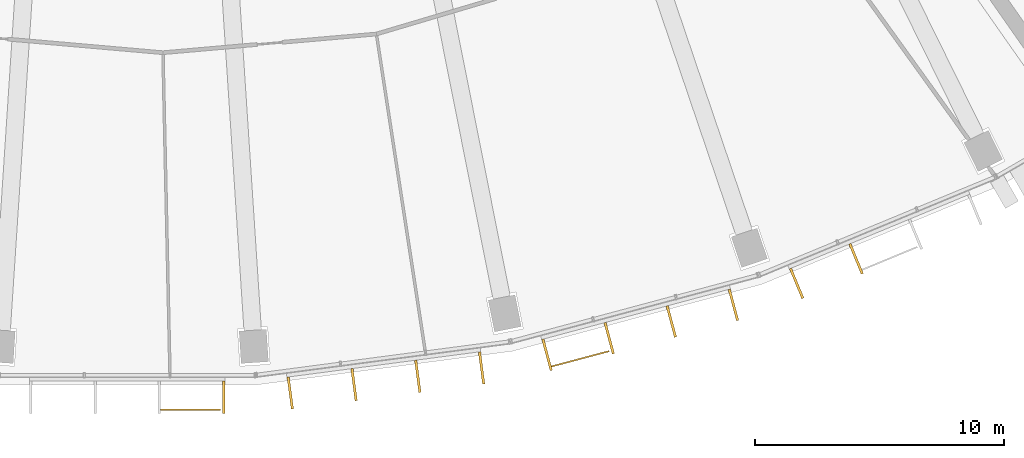
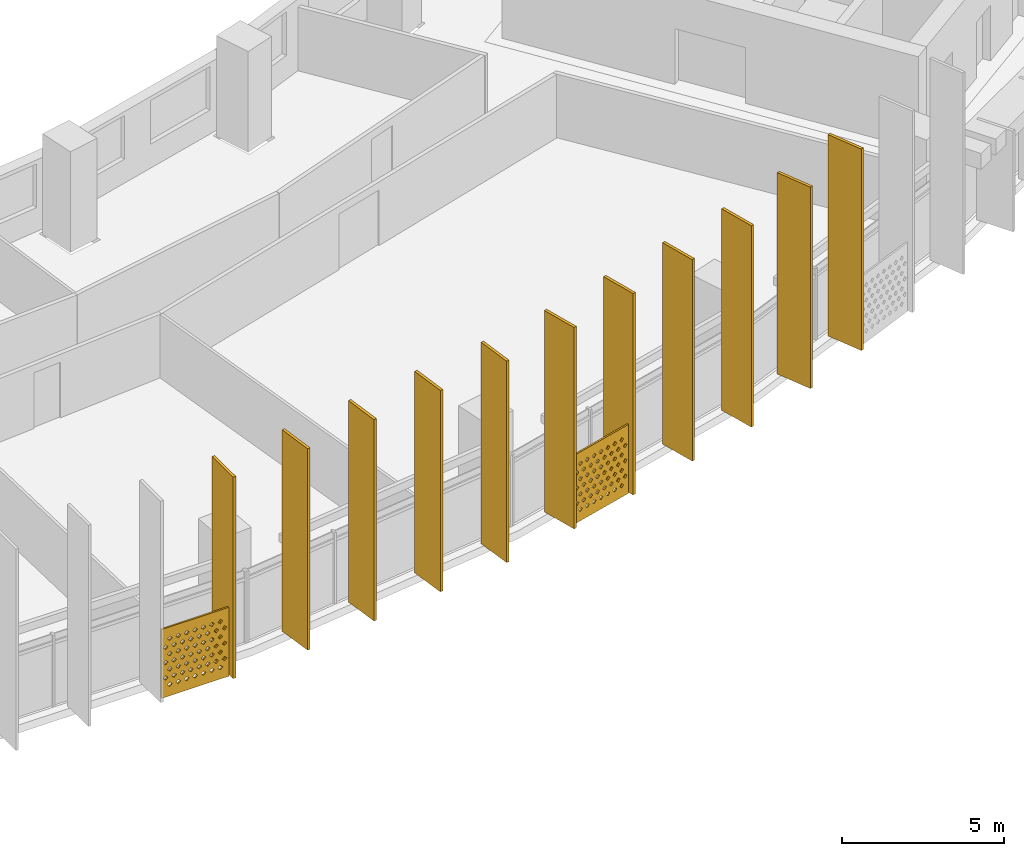
# One storey, part 26 of 31: 13 shading devices.
"""IFC4 building model written with IfcOpenShell, lengths in metres."""

from ifc_helpers import new_model, si_unit, direction, frame, origin, origin_2d, place, context, subcontext, project, spatial, polyline, rectangle, outline, extrude, material, material_profile, profile_set, type_object, element, save


model = new_model("IFC4")

# Units and contexts
model_context = context("Model", 3, precision=1e-05, world=origin(), true_north=direction((0.0, 1.0)))
body_context = subcontext(model_context, "Body", "Model", "MODEL_VIEW")
ifc_project = project(units=[si_unit("LENGTHUNIT", "METRE"), si_unit("AREAUNIT", "SQUARE_METRE"), si_unit("VOLUMEUNIT", "CUBIC_METRE"), si_unit("PLANEANGLEUNIT", "RADIAN"), si_unit("MASSUNIT", "GRAM", prefix="KILO")], contexts=[model_context])

# Site, building, storey
site_placement = place(None, origin())
site = spatial("IfcSite", under=ifc_project, at=site_placement, CompositionType="ELEMENT")
building_placement = place(site_placement, origin())
building = spatial("IfcBuilding", under=site, at=building_placement, Name="Qamariyya Broadcast Tower", CompositionType="ELEMENT")
storey_placement = place(building_placement, frame((0.0, 0.0, 149.300048828125)))
storey = spatial("IfcBuildingStorey", under=building, at=storey_placement, Name="L34", CompositionType="ELEMENT", Elevation=149.300048828125)

# Shading devices
ifc_material_1 = material(Name="Perforated glazed terracotta", Category="masonry")
ifc_material_profile_1 = material_profile(ifc_material_1, outline(polyline([(-1.199951171875, -1.300048828125), (1.199951171875, -1.300048828125), (1.199951171875, 1.300048828125), (-1.199951171875, 1.300048828125), (-1.199951171875, -1.300048828125)]), holes=[polyline([(-0.81494140625, -0.86669921875), (-0.89990234375, -0.78173828125), (-0.985107421875, -0.86669921875), (-0.89990234375, -0.95166015625), (-0.81494140625, -0.86669921875)]), polyline([(-0.514892578125, -0.86669921875), (-0.60009765625, -0.78173828125), (-0.68505859375, -0.86669921875), (-0.60009765625, -0.95166015625), (-0.514892578125, -0.86669921875)]), polyline([(-0.215087890625, -0.86669921875), (-0.300048828125, -0.78173828125), (-0.385009765625, -0.86669921875), (-0.300048828125, -0.95166015625), (-0.215087890625, -0.86669921875)]), polyline([(0.0849609375, -0.86669921875), (0.0, -0.78173828125), (-0.0849609375, -0.86669921875), (0.0, -0.95166015625), (0.0849609375, -0.86669921875)]), polyline([(0.385009765625, -0.86669921875), (0.300048828125, -0.78173828125), (0.215087890625, -0.86669921875), (0.300048828125, -0.95166015625), (0.385009765625, -0.86669921875)]), polyline([(0.68505859375, -0.86669921875), (0.60009765625, -0.78173828125), (0.514892578125, -0.86669921875), (0.60009765625, -0.95166015625), (0.68505859375, -0.86669921875)]), polyline([(0.985107421875, -0.86669921875), (0.89990234375, -0.78173828125), (0.81494140625, -0.86669921875), (0.89990234375, -0.95166015625), (0.985107421875, -0.86669921875)]), polyline([(-0.965087890625, -0.577880859375), (-1.050048828125, -0.49267578125), (-1.135009765625, -0.577880859375), (-1.050048828125, -0.662841796875), (-0.965087890625, -0.577880859375)]), polyline([(-0.6650390625, -0.577880859375), (-0.75, -0.49267578125), (-0.8349609375, -0.577880859375), (-0.75, -0.662841796875), (-0.6650390625, -0.577880859375)]), polyline([(-0.364990234375, -0.577880859375), (-0.449951171875, -0.49267578125), (-0.534912109375, -0.577880859375), (-0.449951171875, -0.662841796875), (-0.364990234375, -0.577880859375)]), polyline([(-0.06494140625, -0.577880859375), (-0.14990234375, -0.49267578125), (-0.235107421875, -0.577880859375), (-0.14990234375, -0.662841796875), (-0.06494140625, -0.577880859375)]), polyline([(0.235107421875, -0.577880859375), (0.14990234375, -0.49267578125), (0.06494140625, -0.577880859375), (0.14990234375, -0.662841796875), (0.235107421875, -0.577880859375)]), polyline([(0.534912109375, -0.577880859375), (0.449951171875, -0.49267578125), (0.364990234375, -0.577880859375), (0.449951171875, -0.662841796875), (0.534912109375, -0.577880859375)]), polyline([(0.8349609375, -0.577880859375), (0.75, -0.49267578125), (0.6650390625, -0.577880859375), (0.75, -0.662841796875), (0.8349609375, -0.577880859375)]), polyline([(1.135009765625, -0.577880859375), (1.050048828125, -0.49267578125), (0.965087890625, -0.577880859375), (1.050048828125, -0.662841796875), (1.135009765625, -0.577880859375)]), polyline([(-0.81494140625, -0.288818359375), (-0.89990234375, -0.203857421875), (-0.985107421875, -0.288818359375), (-0.89990234375, -0.373779296875), (-0.81494140625, -0.288818359375)]), polyline([(-0.514892578125, -0.288818359375), (-0.60009765625, -0.203857421875), (-0.68505859375, -0.288818359375), (-0.60009765625, -0.373779296875), (-0.514892578125, -0.288818359375)]), polyline([(-0.215087890625, -0.288818359375), (-0.300048828125, -0.203857421875), (-0.385009765625, -0.288818359375), (-0.300048828125, -0.373779296875), (-0.215087890625, -0.288818359375)]), polyline([(0.0849609375, -0.288818359375), (0.0, -0.203857421875), (-0.0849609375, -0.288818359375), (0.0, -0.373779296875), (0.0849609375, -0.288818359375)]), polyline([(0.385009765625, -0.288818359375), (0.300048828125, -0.203857421875), (0.215087890625, -0.288818359375), (0.300048828125, -0.373779296875), (0.385009765625, -0.288818359375)]), polyline([(0.68505859375, -0.288818359375), (0.60009765625, -0.203857421875), (0.514892578125, -0.288818359375), (0.60009765625, -0.373779296875), (0.68505859375, -0.288818359375)]), polyline([(0.985107421875, -0.288818359375), (0.89990234375, -0.203857421875), (0.81494140625, -0.288818359375), (0.89990234375, -0.373779296875), (0.985107421875, -0.288818359375)]), polyline([(-0.965087890625, 0.0), (-1.050048828125, 0.0849609375), (-1.135009765625, 0.0), (-1.050048828125, -0.0849609375), (-0.965087890625, 0.0)]), polyline([(-0.6650390625, 0.0), (-0.75, 0.0849609375), (-0.8349609375, 0.0), (-0.75, -0.0849609375), (-0.6650390625, 0.0)]), polyline([(-0.364990234375, 0.0), (-0.449951171875, 0.0849609375), (-0.534912109375, 0.0), (-0.449951171875, -0.0849609375), (-0.364990234375, 0.0)]), polyline([(-0.06494140625, 0.0), (-0.14990234375, 0.0849609375), (-0.235107421875, 0.0), (-0.14990234375, -0.0849609375), (-0.06494140625, 0.0)]), polyline([(0.235107421875, 0.0), (0.14990234375, 0.0849609375), (0.06494140625, 0.0), (0.14990234375, -0.0849609375), (0.235107421875, 0.0)]), polyline([(0.534912109375, 0.0), (0.449951171875, 0.0849609375), (0.364990234375, 0.0), (0.449951171875, -0.0849609375), (0.534912109375, 0.0)]), polyline([(0.8349609375, 0.0), (0.75, 0.0849609375), (0.6650390625, 0.0), (0.75, -0.0849609375), (0.8349609375, 0.0)]), polyline([(1.135009765625, 0.0), (1.050048828125, 0.0849609375), (0.965087890625, 0.0), (1.050048828125, -0.0849609375), (1.135009765625, 0.0)]), polyline([(-0.81494140625, 0.288818359375), (-0.89990234375, 0.373779296875), (-0.985107421875, 0.288818359375), (-0.89990234375, 0.203857421875), (-0.81494140625, 0.288818359375)]), polyline([(-0.514892578125, 0.288818359375), (-0.60009765625, 0.373779296875), (-0.68505859375, 0.288818359375), (-0.60009765625, 0.203857421875), (-0.514892578125, 0.288818359375)]), polyline([(-0.215087890625, 0.288818359375), (-0.300048828125, 0.373779296875), (-0.385009765625, 0.288818359375), (-0.300048828125, 0.203857421875), (-0.215087890625, 0.288818359375)]), polyline([(0.0849609375, 0.288818359375), (0.0, 0.373779296875), (-0.0849609375, 0.288818359375), (0.0, 0.203857421875), (0.0849609375, 0.288818359375)]), polyline([(0.385009765625, 0.288818359375), (0.300048828125, 0.373779296875), (0.215087890625, 0.288818359375), (0.300048828125, 0.203857421875), (0.385009765625, 0.288818359375)]), polyline([(0.68505859375, 0.288818359375), (0.60009765625, 0.373779296875), (0.514892578125, 0.288818359375), (0.60009765625, 0.203857421875), (0.68505859375, 0.288818359375)]), polyline([(0.985107421875, 0.288818359375), (0.89990234375, 0.373779296875), (0.81494140625, 0.288818359375), (0.89990234375, 0.203857421875), (0.985107421875, 0.288818359375)]), polyline([(-0.965087890625, 0.577880859375), (-1.050048828125, 0.662841796875), (-1.135009765625, 0.577880859375), (-1.050048828125, 0.49267578125), (-0.965087890625, 0.577880859375)]), polyline([(-0.6650390625, 0.577880859375), (-0.75, 0.662841796875), (-0.8349609375, 0.577880859375), (-0.75, 0.49267578125), (-0.6650390625, 0.577880859375)]), polyline([(-0.364990234375, 0.577880859375), (-0.449951171875, 0.662841796875), (-0.534912109375, 0.577880859375), (-0.449951171875, 0.49267578125), (-0.364990234375, 0.577880859375)]), polyline([(-0.06494140625, 0.577880859375), (-0.14990234375, 0.662841796875), (-0.235107421875, 0.577880859375), (-0.14990234375, 0.49267578125), (-0.06494140625, 0.577880859375)]), polyline([(0.235107421875, 0.577880859375), (0.14990234375, 0.662841796875), (0.06494140625, 0.577880859375), (0.14990234375, 0.49267578125), (0.235107421875, 0.577880859375)]), polyline([(0.534912109375, 0.577880859375), (0.449951171875, 0.662841796875), (0.364990234375, 0.577880859375), (0.449951171875, 0.49267578125), (0.534912109375, 0.577880859375)]), polyline([(0.8349609375, 0.577880859375), (0.75, 0.662841796875), (0.6650390625, 0.577880859375), (0.75, 0.49267578125), (0.8349609375, 0.577880859375)]), polyline([(1.135009765625, 0.577880859375), (1.050048828125, 0.662841796875), (0.965087890625, 0.577880859375), (1.050048828125, 0.49267578125), (1.135009765625, 0.577880859375)]), polyline([(-0.81494140625, 0.86669921875), (-0.89990234375, 0.95166015625), (-0.985107421875, 0.86669921875), (-0.89990234375, 0.78173828125), (-0.81494140625, 0.86669921875)]), polyline([(-0.514892578125, 0.86669921875), (-0.60009765625, 0.95166015625), (-0.68505859375, 0.86669921875), (-0.60009765625, 0.78173828125), (-0.514892578125, 0.86669921875)]), polyline([(-0.215087890625, 0.86669921875), (-0.300048828125, 0.95166015625), (-0.385009765625, 0.86669921875), (-0.300048828125, 0.78173828125), (-0.215087890625, 0.86669921875)]), polyline([(0.0849609375, 0.86669921875), (0.0, 0.95166015625), (-0.0849609375, 0.86669921875), (0.0, 0.78173828125), (0.0849609375, 0.86669921875)]), polyline([(0.385009765625, 0.86669921875), (0.300048828125, 0.95166015625), (0.215087890625, 0.86669921875), (0.300048828125, 0.78173828125), (0.385009765625, 0.86669921875)]), polyline([(0.68505859375, 0.86669921875), (0.60009765625, 0.95166015625), (0.514892578125, 0.86669921875), (0.60009765625, 0.78173828125), (0.68505859375, 0.86669921875)]), polyline([(0.985107421875, 0.86669921875), (0.89990234375, 0.95166015625), (0.81494140625, 0.86669921875), (0.89990234375, 0.78173828125), (0.985107421875, 0.86669921875)])]))
ifc_profile_set_1 = profile_set([ifc_material_profile_1], Name="Perforated glazed terracotta")
shading_device_type_1 = type_object("IfcShadingDeviceType", Name="Perforated terracotta screen 2400 x 2600", PredefinedType="USERDEFINED", material=ifc_profile_set_1)
shading_device_1_placement = place(storey_placement, frame((2.541748046875, -80.100830078125, 1.349853515625), z_axis=(0.0, -1.0, 0.0), x_axis=(1.0, 0.0, 0.0)))
element("IfcShadingDevice", 1, at=shading_device_1_placement, inside=storey, type_object=shading_device_type_1, Name="e-scr-L34-07-2", ObjectType="SCREEN", PredefinedType="USERDEFINED", context=body_context, shape_type="SweptSolid", body=[
    extrude(outline(polyline([(-1.199951171875, -1.300048828125), (1.199951171875, -1.300048828125), (1.199951171875, 1.300048828125), (-1.199951171875, 1.300048828125), (-1.199951171875, -1.300048828125)]), holes=[polyline([(-0.81494140625, -0.86669921875), (-0.89990234375, -0.78173828125), (-0.985107421875, -0.86669921875), (-0.89990234375, -0.95166015625), (-0.81494140625, -0.86669921875)]), polyline([(-0.514892578125, -0.86669921875), (-0.60009765625, -0.78173828125), (-0.68505859375, -0.86669921875), (-0.60009765625, -0.95166015625), (-0.514892578125, -0.86669921875)]), polyline([(-0.215087890625, -0.86669921875), (-0.300048828125, -0.78173828125), (-0.385009765625, -0.86669921875), (-0.300048828125, -0.95166015625), (-0.215087890625, -0.86669921875)]), polyline([(0.0849609375, -0.86669921875), (0.0, -0.78173828125), (-0.0849609375, -0.86669921875), (0.0, -0.95166015625), (0.0849609375, -0.86669921875)]), polyline([(0.385009765625, -0.86669921875), (0.300048828125, -0.78173828125), (0.215087890625, -0.86669921875), (0.300048828125, -0.95166015625), (0.385009765625, -0.86669921875)]), polyline([(0.68505859375, -0.86669921875), (0.60009765625, -0.78173828125), (0.514892578125, -0.86669921875), (0.60009765625, -0.95166015625), (0.68505859375, -0.86669921875)]), polyline([(0.985107421875, -0.86669921875), (0.89990234375, -0.78173828125), (0.81494140625, -0.86669921875), (0.89990234375, -0.95166015625), (0.985107421875, -0.86669921875)]), polyline([(-0.965087890625, -0.577880859375), (-1.050048828125, -0.49267578125), (-1.135009765625, -0.577880859375), (-1.050048828125, -0.662841796875), (-0.965087890625, -0.577880859375)]), polyline([(-0.6650390625, -0.577880859375), (-0.75, -0.49267578125), (-0.8349609375, -0.577880859375), (-0.75, -0.662841796875), (-0.6650390625, -0.577880859375)]), polyline([(-0.364990234375, -0.577880859375), (-0.449951171875, -0.49267578125), (-0.534912109375, -0.577880859375), (-0.449951171875, -0.662841796875), (-0.364990234375, -0.577880859375)]), polyline([(-0.06494140625, -0.577880859375), (-0.14990234375, -0.49267578125), (-0.235107421875, -0.577880859375), (-0.14990234375, -0.662841796875), (-0.06494140625, -0.577880859375)]), polyline([(0.235107421875, -0.577880859375), (0.14990234375, -0.49267578125), (0.06494140625, -0.577880859375), (0.14990234375, -0.662841796875), (0.235107421875, -0.577880859375)]), polyline([(0.534912109375, -0.577880859375), (0.449951171875, -0.49267578125), (0.364990234375, -0.577880859375), (0.449951171875, -0.662841796875), (0.534912109375, -0.577880859375)]), polyline([(0.8349609375, -0.577880859375), (0.75, -0.49267578125), (0.6650390625, -0.577880859375), (0.75, -0.662841796875), (0.8349609375, -0.577880859375)]), polyline([(1.135009765625, -0.577880859375), (1.050048828125, -0.49267578125), (0.965087890625, -0.577880859375), (1.050048828125, -0.662841796875), (1.135009765625, -0.577880859375)]), polyline([(-0.81494140625, -0.288818359375), (-0.89990234375, -0.203857421875), (-0.985107421875, -0.288818359375), (-0.89990234375, -0.373779296875), (-0.81494140625, -0.288818359375)]), polyline([(-0.514892578125, -0.288818359375), (-0.60009765625, -0.203857421875), (-0.68505859375, -0.288818359375), (-0.60009765625, -0.373779296875), (-0.514892578125, -0.288818359375)]), polyline([(-0.215087890625, -0.288818359375), (-0.300048828125, -0.203857421875), (-0.385009765625, -0.288818359375), (-0.300048828125, -0.373779296875), (-0.215087890625, -0.288818359375)]), polyline([(0.0849609375, -0.288818359375), (0.0, -0.203857421875), (-0.0849609375, -0.288818359375), (0.0, -0.373779296875), (0.0849609375, -0.288818359375)]), polyline([(0.385009765625, -0.288818359375), (0.300048828125, -0.203857421875), (0.215087890625, -0.288818359375), (0.300048828125, -0.373779296875), (0.385009765625, -0.288818359375)]), polyline([(0.68505859375, -0.288818359375), (0.60009765625, -0.203857421875), (0.514892578125, -0.288818359375), (0.60009765625, -0.373779296875), (0.68505859375, -0.288818359375)]), polyline([(0.985107421875, -0.288818359375), (0.89990234375, -0.203857421875), (0.81494140625, -0.288818359375), (0.89990234375, -0.373779296875), (0.985107421875, -0.288818359375)]), polyline([(-0.965087890625, 0.0), (-1.050048828125, 0.0849609375), (-1.135009765625, 0.0), (-1.050048828125, -0.0849609375), (-0.965087890625, 0.0)]), polyline([(-0.6650390625, 0.0), (-0.75, 0.0849609375), (-0.8349609375, 0.0), (-0.75, -0.0849609375), (-0.6650390625, 0.0)]), polyline([(-0.364990234375, 0.0), (-0.449951171875, 0.0849609375), (-0.534912109375, 0.0), (-0.449951171875, -0.0849609375), (-0.364990234375, 0.0)]), polyline([(-0.06494140625, 0.0), (-0.14990234375, 0.0849609375), (-0.235107421875, 0.0), (-0.14990234375, -0.0849609375), (-0.06494140625, 0.0)]), polyline([(0.235107421875, 0.0), (0.14990234375, 0.0849609375), (0.06494140625, 0.0), (0.14990234375, -0.0849609375), (0.235107421875, 0.0)]), polyline([(0.534912109375, 0.0), (0.449951171875, 0.0849609375), (0.364990234375, 0.0), (0.449951171875, -0.0849609375), (0.534912109375, 0.0)]), polyline([(0.8349609375, 0.0), (0.75, 0.0849609375), (0.6650390625, 0.0), (0.75, -0.0849609375), (0.8349609375, 0.0)]), polyline([(1.135009765625, 0.0), (1.050048828125, 0.0849609375), (0.965087890625, 0.0), (1.050048828125, -0.0849609375), (1.135009765625, 0.0)]), polyline([(-0.81494140625, 0.288818359375), (-0.89990234375, 0.373779296875), (-0.985107421875, 0.288818359375), (-0.89990234375, 0.203857421875), (-0.81494140625, 0.288818359375)]), polyline([(-0.514892578125, 0.288818359375), (-0.60009765625, 0.373779296875), (-0.68505859375, 0.288818359375), (-0.60009765625, 0.203857421875), (-0.514892578125, 0.288818359375)]), polyline([(-0.215087890625, 0.288818359375), (-0.300048828125, 0.373779296875), (-0.385009765625, 0.288818359375), (-0.300048828125, 0.203857421875), (-0.215087890625, 0.288818359375)]), polyline([(0.0849609375, 0.288818359375), (0.0, 0.373779296875), (-0.0849609375, 0.288818359375), (0.0, 0.203857421875), (0.0849609375, 0.288818359375)]), polyline([(0.385009765625, 0.288818359375), (0.300048828125, 0.373779296875), (0.215087890625, 0.288818359375), (0.300048828125, 0.203857421875), (0.385009765625, 0.288818359375)]), polyline([(0.68505859375, 0.288818359375), (0.60009765625, 0.373779296875), (0.514892578125, 0.288818359375), (0.60009765625, 0.203857421875), (0.68505859375, 0.288818359375)]), polyline([(0.985107421875, 0.288818359375), (0.89990234375, 0.373779296875), (0.81494140625, 0.288818359375), (0.89990234375, 0.203857421875), (0.985107421875, 0.288818359375)]), polyline([(-0.965087890625, 0.577880859375), (-1.050048828125, 0.662841796875), (-1.135009765625, 0.577880859375), (-1.050048828125, 0.49267578125), (-0.965087890625, 0.577880859375)]), polyline([(-0.6650390625, 0.577880859375), (-0.75, 0.662841796875), (-0.8349609375, 0.577880859375), (-0.75, 0.49267578125), (-0.6650390625, 0.577880859375)]), polyline([(-0.364990234375, 0.577880859375), (-0.449951171875, 0.662841796875), (-0.534912109375, 0.577880859375), (-0.449951171875, 0.49267578125), (-0.364990234375, 0.577880859375)]), polyline([(-0.06494140625, 0.577880859375), (-0.14990234375, 0.662841796875), (-0.235107421875, 0.577880859375), (-0.14990234375, 0.49267578125), (-0.06494140625, 0.577880859375)]), polyline([(0.235107421875, 0.577880859375), (0.14990234375, 0.662841796875), (0.06494140625, 0.577880859375), (0.14990234375, 0.49267578125), (0.235107421875, 0.577880859375)]), polyline([(0.534912109375, 0.577880859375), (0.449951171875, 0.662841796875), (0.364990234375, 0.577880859375), (0.449951171875, 0.49267578125), (0.534912109375, 0.577880859375)]), polyline([(0.8349609375, 0.577880859375), (0.75, 0.662841796875), (0.6650390625, 0.577880859375), (0.75, 0.49267578125), (0.8349609375, 0.577880859375)]), polyline([(1.135009765625, 0.577880859375), (1.050048828125, 0.662841796875), (0.965087890625, 0.577880859375), (1.050048828125, 0.49267578125), (1.135009765625, 0.577880859375)]), polyline([(-0.81494140625, 0.86669921875), (-0.89990234375, 0.95166015625), (-0.985107421875, 0.86669921875), (-0.89990234375, 0.78173828125), (-0.81494140625, 0.86669921875)]), polyline([(-0.514892578125, 0.86669921875), (-0.60009765625, 0.95166015625), (-0.68505859375, 0.86669921875), (-0.60009765625, 0.78173828125), (-0.514892578125, 0.86669921875)]), polyline([(-0.215087890625, 0.86669921875), (-0.300048828125, 0.95166015625), (-0.385009765625, 0.86669921875), (-0.300048828125, 0.78173828125), (-0.215087890625, 0.86669921875)]), polyline([(0.0849609375, 0.86669921875), (0.0, 0.95166015625), (-0.0849609375, 0.86669921875), (0.0, 0.78173828125), (0.0849609375, 0.86669921875)]), polyline([(0.385009765625, 0.86669921875), (0.300048828125, 0.95166015625), (0.215087890625, 0.86669921875), (0.300048828125, 0.78173828125), (0.385009765625, 0.86669921875)]), polyline([(0.68505859375, 0.86669921875), (0.60009765625, 0.95166015625), (0.514892578125, 0.86669921875), (0.60009765625, 0.78173828125), (0.68505859375, 0.86669921875)]), polyline([(0.985107421875, 0.86669921875), (0.89990234375, 0.95166015625), (0.81494140625, 0.86669921875), (0.89990234375, 0.78173828125), (0.985107421875, 0.86669921875)])]), origin(), (0.0, 0.0, 1.0), 0.06005859375),
])
shading_device_2_placement = place(storey_placement, frame((18.196044921875, -78.051025390625, 1.349853515625), z_axis=(0.256901156343, -0.966437683387, 0.0), x_axis=(0.966437683387, 0.256901156343, 0.0)))
element("IfcShadingDevice", 2, at=shading_device_2_placement, inside=storey, type_object=shading_device_type_1, Name="e-scr-L34-09-0", ObjectType="SCREEN", PredefinedType="USERDEFINED", context=body_context, shape_type="SweptSolid", body=[
    extrude(outline(polyline([(-1.199951171875, -1.300048828125), (1.199951171875, -1.300048828125), (1.199951171875, 1.300048828125), (-1.199951171875, 1.300048828125), (-1.199951171875, -1.300048828125)]), holes=[polyline([(-0.81494140625, -0.86669921875), (-0.89990234375, -0.78173828125), (-0.985107421875, -0.86669921875), (-0.89990234375, -0.95166015625), (-0.81494140625, -0.86669921875)]), polyline([(-0.514892578125, -0.86669921875), (-0.60009765625, -0.78173828125), (-0.68505859375, -0.86669921875), (-0.60009765625, -0.95166015625), (-0.514892578125, -0.86669921875)]), polyline([(-0.215087890625, -0.86669921875), (-0.300048828125, -0.78173828125), (-0.385009765625, -0.86669921875), (-0.300048828125, -0.95166015625), (-0.215087890625, -0.86669921875)]), polyline([(0.0849609375, -0.86669921875), (0.0, -0.78173828125), (-0.0849609375, -0.86669921875), (0.0, -0.95166015625), (0.0849609375, -0.86669921875)]), polyline([(0.385009765625, -0.86669921875), (0.300048828125, -0.78173828125), (0.215087890625, -0.86669921875), (0.300048828125, -0.95166015625), (0.385009765625, -0.86669921875)]), polyline([(0.68505859375, -0.86669921875), (0.60009765625, -0.78173828125), (0.514892578125, -0.86669921875), (0.60009765625, -0.95166015625), (0.68505859375, -0.86669921875)]), polyline([(0.985107421875, -0.86669921875), (0.89990234375, -0.78173828125), (0.81494140625, -0.86669921875), (0.89990234375, -0.95166015625), (0.985107421875, -0.86669921875)]), polyline([(-0.965087890625, -0.577880859375), (-1.050048828125, -0.49267578125), (-1.135009765625, -0.577880859375), (-1.050048828125, -0.662841796875), (-0.965087890625, -0.577880859375)]), polyline([(-0.6650390625, -0.577880859375), (-0.75, -0.49267578125), (-0.8349609375, -0.577880859375), (-0.75, -0.662841796875), (-0.6650390625, -0.577880859375)]), polyline([(-0.364990234375, -0.577880859375), (-0.449951171875, -0.49267578125), (-0.534912109375, -0.577880859375), (-0.449951171875, -0.662841796875), (-0.364990234375, -0.577880859375)]), polyline([(-0.06494140625, -0.577880859375), (-0.14990234375, -0.49267578125), (-0.235107421875, -0.577880859375), (-0.14990234375, -0.662841796875), (-0.06494140625, -0.577880859375)]), polyline([(0.235107421875, -0.577880859375), (0.14990234375, -0.49267578125), (0.06494140625, -0.577880859375), (0.14990234375, -0.662841796875), (0.235107421875, -0.577880859375)]), polyline([(0.534912109375, -0.577880859375), (0.449951171875, -0.49267578125), (0.364990234375, -0.577880859375), (0.449951171875, -0.662841796875), (0.534912109375, -0.577880859375)]), polyline([(0.8349609375, -0.577880859375), (0.75, -0.49267578125), (0.6650390625, -0.577880859375), (0.75, -0.662841796875), (0.8349609375, -0.577880859375)]), polyline([(1.135009765625, -0.577880859375), (1.050048828125, -0.49267578125), (0.965087890625, -0.577880859375), (1.050048828125, -0.662841796875), (1.135009765625, -0.577880859375)]), polyline([(-0.81494140625, -0.288818359375), (-0.89990234375, -0.203857421875), (-0.985107421875, -0.288818359375), (-0.89990234375, -0.373779296875), (-0.81494140625, -0.288818359375)]), polyline([(-0.514892578125, -0.288818359375), (-0.60009765625, -0.203857421875), (-0.68505859375, -0.288818359375), (-0.60009765625, -0.373779296875), (-0.514892578125, -0.288818359375)]), polyline([(-0.215087890625, -0.288818359375), (-0.300048828125, -0.203857421875), (-0.385009765625, -0.288818359375), (-0.300048828125, -0.373779296875), (-0.215087890625, -0.288818359375)]), polyline([(0.0849609375, -0.288818359375), (0.0, -0.203857421875), (-0.0849609375, -0.288818359375), (0.0, -0.373779296875), (0.0849609375, -0.288818359375)]), polyline([(0.385009765625, -0.288818359375), (0.300048828125, -0.203857421875), (0.215087890625, -0.288818359375), (0.300048828125, -0.373779296875), (0.385009765625, -0.288818359375)]), polyline([(0.68505859375, -0.288818359375), (0.60009765625, -0.203857421875), (0.514892578125, -0.288818359375), (0.60009765625, -0.373779296875), (0.68505859375, -0.288818359375)]), polyline([(0.985107421875, -0.288818359375), (0.89990234375, -0.203857421875), (0.81494140625, -0.288818359375), (0.89990234375, -0.373779296875), (0.985107421875, -0.288818359375)]), polyline([(-0.965087890625, 0.0), (-1.050048828125, 0.0849609375), (-1.135009765625, 0.0), (-1.050048828125, -0.0849609375), (-0.965087890625, 0.0)]), polyline([(-0.6650390625, 0.0), (-0.75, 0.0849609375), (-0.8349609375, 0.0), (-0.75, -0.0849609375), (-0.6650390625, 0.0)]), polyline([(-0.364990234375, 0.0), (-0.449951171875, 0.0849609375), (-0.534912109375, 0.0), (-0.449951171875, -0.0849609375), (-0.364990234375, 0.0)]), polyline([(-0.06494140625, 0.0), (-0.14990234375, 0.0849609375), (-0.235107421875, 0.0), (-0.14990234375, -0.0849609375), (-0.06494140625, 0.0)]), polyline([(0.235107421875, 0.0), (0.14990234375, 0.0849609375), (0.06494140625, 0.0), (0.14990234375, -0.0849609375), (0.235107421875, 0.0)]), polyline([(0.534912109375, 0.0), (0.449951171875, 0.0849609375), (0.364990234375, 0.0), (0.449951171875, -0.0849609375), (0.534912109375, 0.0)]), polyline([(0.8349609375, 0.0), (0.75, 0.0849609375), (0.6650390625, 0.0), (0.75, -0.0849609375), (0.8349609375, 0.0)]), polyline([(1.135009765625, 0.0), (1.050048828125, 0.0849609375), (0.965087890625, 0.0), (1.050048828125, -0.0849609375), (1.135009765625, 0.0)]), polyline([(-0.81494140625, 0.288818359375), (-0.89990234375, 0.373779296875), (-0.985107421875, 0.288818359375), (-0.89990234375, 0.203857421875), (-0.81494140625, 0.288818359375)]), polyline([(-0.514892578125, 0.288818359375), (-0.60009765625, 0.373779296875), (-0.68505859375, 0.288818359375), (-0.60009765625, 0.203857421875), (-0.514892578125, 0.288818359375)]), polyline([(-0.215087890625, 0.288818359375), (-0.300048828125, 0.373779296875), (-0.385009765625, 0.288818359375), (-0.300048828125, 0.203857421875), (-0.215087890625, 0.288818359375)]), polyline([(0.0849609375, 0.288818359375), (0.0, 0.373779296875), (-0.0849609375, 0.288818359375), (0.0, 0.203857421875), (0.0849609375, 0.288818359375)]), polyline([(0.385009765625, 0.288818359375), (0.300048828125, 0.373779296875), (0.215087890625, 0.288818359375), (0.300048828125, 0.203857421875), (0.385009765625, 0.288818359375)]), polyline([(0.68505859375, 0.288818359375), (0.60009765625, 0.373779296875), (0.514892578125, 0.288818359375), (0.60009765625, 0.203857421875), (0.68505859375, 0.288818359375)]), polyline([(0.985107421875, 0.288818359375), (0.89990234375, 0.373779296875), (0.81494140625, 0.288818359375), (0.89990234375, 0.203857421875), (0.985107421875, 0.288818359375)]), polyline([(-0.965087890625, 0.577880859375), (-1.050048828125, 0.662841796875), (-1.135009765625, 0.577880859375), (-1.050048828125, 0.49267578125), (-0.965087890625, 0.577880859375)]), polyline([(-0.6650390625, 0.577880859375), (-0.75, 0.662841796875), (-0.8349609375, 0.577880859375), (-0.75, 0.49267578125), (-0.6650390625, 0.577880859375)]), polyline([(-0.364990234375, 0.577880859375), (-0.449951171875, 0.662841796875), (-0.534912109375, 0.577880859375), (-0.449951171875, 0.49267578125), (-0.364990234375, 0.577880859375)]), polyline([(-0.06494140625, 0.577880859375), (-0.14990234375, 0.662841796875), (-0.235107421875, 0.577880859375), (-0.14990234375, 0.49267578125), (-0.06494140625, 0.577880859375)]), polyline([(0.235107421875, 0.577880859375), (0.14990234375, 0.662841796875), (0.06494140625, 0.577880859375), (0.14990234375, 0.49267578125), (0.235107421875, 0.577880859375)]), polyline([(0.534912109375, 0.577880859375), (0.449951171875, 0.662841796875), (0.364990234375, 0.577880859375), (0.449951171875, 0.49267578125), (0.534912109375, 0.577880859375)]), polyline([(0.8349609375, 0.577880859375), (0.75, 0.662841796875), (0.6650390625, 0.577880859375), (0.75, 0.49267578125), (0.8349609375, 0.577880859375)]), polyline([(1.135009765625, 0.577880859375), (1.050048828125, 0.662841796875), (0.965087890625, 0.577880859375), (1.050048828125, 0.49267578125), (1.135009765625, 0.577880859375)]), polyline([(-0.81494140625, 0.86669921875), (-0.89990234375, 0.95166015625), (-0.985107421875, 0.86669921875), (-0.89990234375, 0.78173828125), (-0.81494140625, 0.86669921875)]), polyline([(-0.514892578125, 0.86669921875), (-0.60009765625, 0.95166015625), (-0.68505859375, 0.86669921875), (-0.60009765625, 0.78173828125), (-0.514892578125, 0.86669921875)]), polyline([(-0.215087890625, 0.86669921875), (-0.300048828125, 0.95166015625), (-0.385009765625, 0.86669921875), (-0.300048828125, 0.78173828125), (-0.215087890625, 0.86669921875)]), polyline([(0.0849609375, 0.86669921875), (0.0, 0.95166015625), (-0.0849609375, 0.86669921875), (0.0, 0.78173828125), (0.0849609375, 0.86669921875)]), polyline([(0.385009765625, 0.86669921875), (0.300048828125, 0.95166015625), (0.215087890625, 0.86669921875), (0.300048828125, 0.78173828125), (0.385009765625, 0.86669921875)]), polyline([(0.68505859375, 0.86669921875), (0.60009765625, 0.95166015625), (0.514892578125, 0.86669921875), (0.60009765625, 0.78173828125), (0.68505859375, 0.86669921875)]), polyline([(0.985107421875, 0.86669921875), (0.89990234375, 0.95166015625), (0.81494140625, 0.86669921875), (0.89990234375, 0.78173828125), (0.985107421875, 0.86669921875)])]), origin(), (0.0, 0.0, 1.0), 0.059814453125),
])
ifc_material_2 = material(Name="Glazed terracotta", Category="masonry")
ifc_material_profile_2 = material_profile(ifc_material_2, rectangle(XDim=1.300048828125, YDim=0.10009765625, at=origin_2d()))
ifc_profile_set_2 = profile_set([ifc_material_profile_2], Name="Glazed terracotta")
shading_device_type_2 = type_object("IfcShadingDeviceType", Name="Terracotta fin 100 x 1300", PredefinedType="USERDEFINED", material=ifc_profile_set_2)
for number, where, z_axis, x_axis, name in (
    (3, (3.875244140625, -79.630859375, 0.0), (0.0, 0.0, 1.0), (0.0, -1.0, 0.0), "e-fin-L34-07-3"),
    (4, (6.552001953125, -79.455322265625, 0.0), (0.0, 0.0, 1.0), (0.13052619222, -0.991444861374, 0.0), "e-fin-L34-08-0"),
    (5, (9.11328125, -79.1181640625, 0.0), (0.0, 0.0, 1.0), (0.13052619222, -0.991444861374, 0.0), "e-fin-L34-08-1"),
    (6, (11.674560546875, -78.781005859375, 0.0), (0.0, 0.0, 1.0), (0.13052619222, -0.991444861374, 0.0), "e-fin-L34-08-2"),
    (7, (14.23583984375, -78.44384765625, 0.0), (0.0, 0.0, 1.0), (0.13052619222, -0.991444861374, 0.0), "e-fin-L34-08-3"),
    (8, (16.866943359375, -77.92041015625, 0.0), (0.0, 0.0, 1.0), (0.258819045103, -0.965925826289, 0.0), "e-fin-L34-09-0"),
    (9, (19.3623046875, -77.251708984375, 0.0), (0.0, 0.0, 1.0), (0.258819045103, -0.965925826289, 0.0), "e-fin-L34-09-1"),
    (10, (21.857666015625, -76.583251953125, 0.0), (0.0, 0.0, 1.0), (0.258819045103, -0.965925826289, 0.0), "e-fin-L34-09-2"),
    (11, (24.35302734375, -75.91455078125, 0.0), (0.0, 0.0, 1.0), (0.258819045103, -0.965925826289, 0.0), "e-fin-L34-09-3"),
    (12, (26.893310546875, -75.05224609375, 0.0), (0.0, 0.0, 1.0), (0.382683432365, -0.923879532511, 0.0), "e-fin-L34-10-0"),
    (13, (29.280029296875, -74.063720703125, 0.0), (0.0, 0.0, 1.0), (0.382683432365, -0.923879532511, 0.0), "e-fin-L34-10-1"),
):
    element("IfcShadingDevice", number, at=place(storey_placement, frame(where, z_axis=z_axis, x_axis=x_axis)), inside=storey, type_object=shading_device_type_2, Name=name, ObjectType="FIN", PredefinedType="USERDEFINED", context=body_context, shape_type="SweptSolid", body=[
        extrude(rectangle(XDim=1.300048828125, YDim=0.10009765625, at=origin_2d()), origin(), (0.0, 0.0, 1.0), 7.599853515625),
    ])

save(model, "model.ifc")
